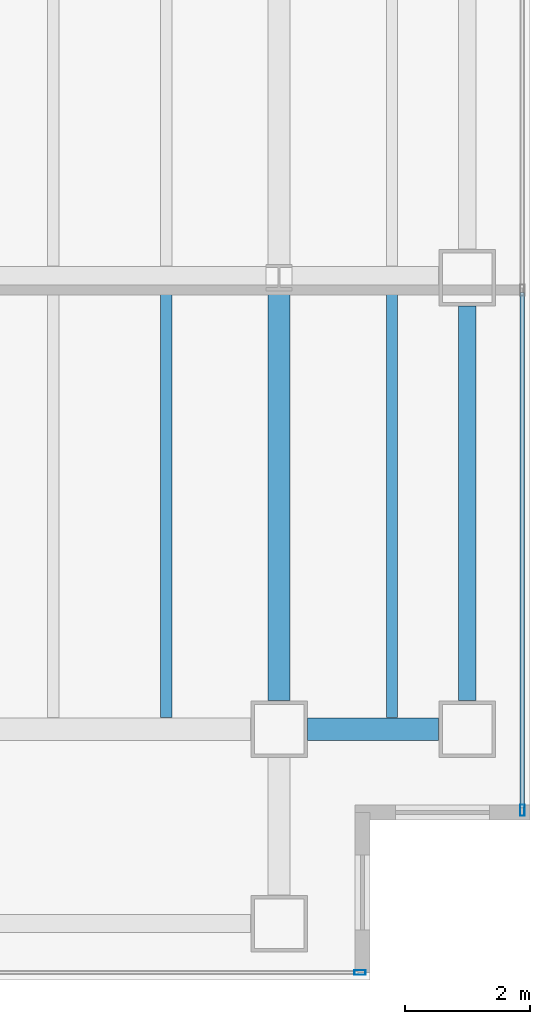
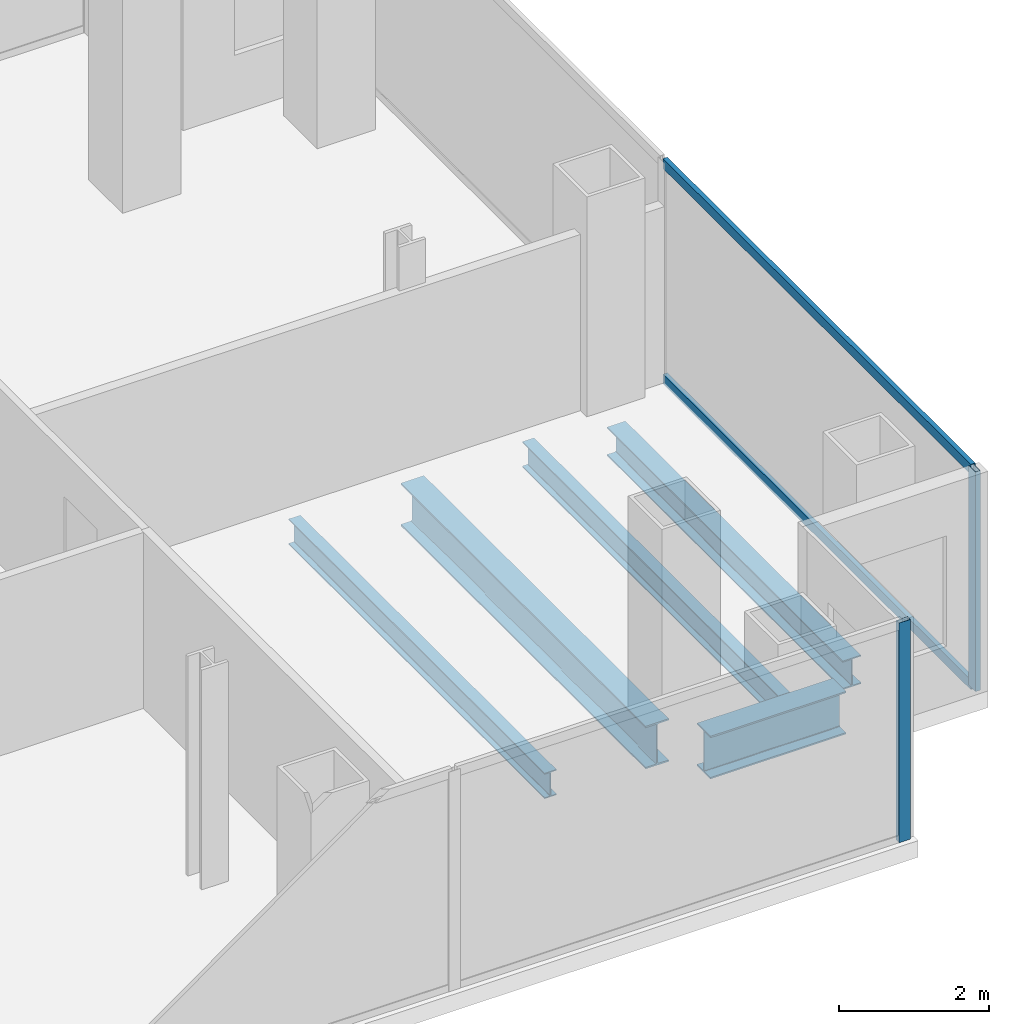
# One storey, part 11 of 24: 5 beams, 4 members, 2 elements without a shape of their own.
"""IFC4 building model written with IfcOpenShell, lengths in metres."""

from ifc_helpers import new_model, si_unit, direction, frame, origin, origin_2d, place, context, subcontext, project, spatial, hollow_rectangle, i_section, extrude, material, material_profile, profile_set, type_object, element, aggregate, save


model = new_model("IFC4")

# Units and contexts
model_context = context("Model", 3, precision=1e-05, world=origin(), true_north=direction((0.0, 1.0)))
body_context = subcontext(model_context, "Body", "Model", "MODEL_VIEW")
ifc_project = project(units=[si_unit("LENGTHUNIT", "METRE"), si_unit("AREAUNIT", "SQUARE_METRE"), si_unit("VOLUMEUNIT", "CUBIC_METRE"), si_unit("PLANEANGLEUNIT", "RADIAN"), si_unit("MASSUNIT", "GRAM", prefix="KILO")], contexts=[model_context])

# Site, building, storey
site_placement = place(None, origin())
site = spatial("IfcSite", under=ifc_project, at=site_placement, CompositionType="ELEMENT")
building_placement = place(site_placement, origin())
building = spatial("IfcBuilding", under=site, at=building_placement, Name="Cobrela Telecom Tower", CompositionType="ELEMENT")
storey_placement = place(building_placement, frame((0.0, 0.0, 136.85009765625)))
storey = spatial("IfcBuildingStorey", under=building, at=storey_placement, Name="L34", CompositionType="ELEMENT", Elevation=136.85009765625)

# Beams
ifc_material_1 = material(Name="Steel ASTM A992 Grade 50", Category="steel")
ifc_material_profile_1 = material_profile(ifc_material_1, i_section(OverallWidth=0.35595703125, OverallDepth=0.696044921875, WebThickness=0.015380859375, FlangeThickness=0.024658203125, FilletRadius=0.01806640625, at=origin_2d()), Name="W27X146")
ifc_profile_set_1 = profile_set([ifc_material_profile_1], Name="Steel ASTM A992 Grade 50")
beam_type_1 = type_object("IfcBeamType", Name="BM-GIRD-05", PredefinedType="USERDEFINED", material=ifc_profile_set_1)
beam_1_placement = place(storey_placement, frame((43.655029296875, 7.199951171875, -0.6181640625), z_axis=(1.0, 0.0, 0.0), x_axis=(0.0, 1.0, 0.0)))
element("IfcBeam", 1, at=beam_1_placement, inside=storey, type_object=beam_type_1, Name="L34 Primary Girder X12", ObjectType="GIRDER", PredefinedType="USERDEFINED", context=body_context, shape_type="SweptSolid", body=[
    extrude(i_section(OverallWidth=0.35595703125, OverallDepth=0.696044921875, WebThickness=0.015380859375, FlangeThickness=0.024658203125, FilletRadius=0.01806640625, at=origin_2d()), origin(), (0.0, 0.0, 1.0), 2.090087890625),
])
beam_2_placement = place(storey_placement, frame((43.199951171875, 7.655029296875, -0.6181640625), z_axis=(0.0, 1.0, 0.0), x_axis=(-1.0, 0.0, 0.0)))
element("IfcBeam", 2, at=beam_2_placement, inside=storey, type_object=beam_type_1, Name="L34 Primary Girder Y53", ObjectType="GIRDER", PredefinedType="USERDEFINED", context=body_context, shape_type="SweptSolid", body=[
    extrude(i_section(OverallWidth=0.35595703125, OverallDepth=0.696044921875, WebThickness=0.015380859375, FlangeThickness=0.024658203125, FilletRadius=0.01806640625, at=origin_2d()), origin(), (0.0, 0.0, 1.0), 6.535400390625),
])
ifc_material_profile_2 = material_profile(ifc_material_1, i_section(OverallWidth=0.179931640625, OverallDepth=0.4169921875, WebThickness=0.010986328125, FlangeThickness=0.01806640625, FilletRadius=0.011962890625, at=origin_2d()), Name="W16X57")
ifc_profile_set_2 = profile_set([ifc_material_profile_2], Name="Steel ASTM A992 Grade 50")
beam_type_2 = type_object("IfcBeamType", Name="BM-JOIST-04", PredefinedType="JOIST", material=ifc_profile_set_2)
for number, where, z_axis, x_axis, name in (
    (3, (41.39990234375, 7.383056640625, -0.478515625), (0.0, 1.0, 0.0), (-1.0, 0.0, 0.0), "L34 Secondary Composite Floor Beam J37"),
    (4, (45.0, 7.383056640625, -0.478515625), (0.0, 1.0, 0.0), (-1.0, 0.0, 0.0), "L34 Secondary Composite Floor Beam J39"),
):
    element("IfcBeam", number, at=place(storey_placement, frame(where, z_axis=z_axis, x_axis=x_axis)), inside=storey, type_object=beam_type_2, Name=name, PredefinedType="JOIST", context=body_context, shape_type="SweptSolid", body=[
        extrude(i_section(OverallWidth=0.179931640625, OverallDepth=0.4169921875, WebThickness=0.010986328125, FlangeThickness=0.01806640625, FilletRadius=0.011962890625, at=origin_2d()), origin(), (0.0, 0.0, 1.0), 6.833984375),
    ])
ifc_material_profile_3 = material_profile(ifc_material_1, i_section(OverallWidth=0.281982421875, OverallDepth=0.467041015625, WebThickness=0.01220703125, FlangeThickness=0.01953125, FilletRadius=0.012939453125, at=origin_2d()), Name="W18X86")
ifc_profile_set_3 = profile_set([ifc_material_profile_3], Name="Steel ASTM A992 Grade 50")
beam_type_3 = type_object("IfcBeamType", Name="BM-SPAND-04", PredefinedType="SPANDREL", material=ifc_profile_set_3)
beam_3_placement = place(storey_placement, frame((46.199951171875, 7.655029296875, -0.503662109375), z_axis=(0.0, 1.0, 0.0), x_axis=(-1.0, 0.0, 0.0)))
element("IfcBeam", 5, at=beam_3_placement, inside=storey, type_object=beam_type_3, Name="L34 Perimeter Spandrel Y55", PredefinedType="SPANDREL", context=body_context, shape_type="SweptSolid", body=[
    extrude(i_section(OverallWidth=0.281982421875, OverallDepth=0.467041015625, WebThickness=0.01220703125, FlangeThickness=0.01953125, FilletRadius=0.012939453125, at=origin_2d()), origin(), (0.0, 0.0, 1.0), 6.2900390625),
])

# Curtain wall, member
ifc_material_2 = material(Name="Anodized Bronze Aluminium 6063-T6", Category="aluminium")
curtain_wall_type = type_object("IfcCurtainWallType", Name="CW-SYS-TEL", PredefinedType="USERDEFINED", material=ifc_material_2)
curtain_wall_1_placement = place(storey_placement, origin())
curtain_wall_1 = element("IfcCurtainWall", 6, at=curtain_wall_1_placement, inside=storey, type_object=curtain_wall_type, Name="L34 Unitised Bronze Curtain Wall 14", ObjectType="UNITISED CURTAIN WALL", PredefinedType="USERDEFINED")
ifc_material_profile_4 = material_profile(ifc_material_2, hollow_rectangle(XDim=0.074951171875, YDim=0.179931640625, WallThickness=0.00390625, at=origin_2d()), Name="ALU 75x180x4")
ifc_profile_set_4 = profile_set([ifc_material_profile_4], Name="Anodized Bronze Aluminium 6063-T6")
member_type_1 = type_object("IfcMemberType", Name="CW-SYS-TEL-MUL", PredefinedType="MULLION", material=ifc_profile_set_4)
member_1_placement = place(storey_placement, frame((47.080078125, 5.907470703125, 0.0), z_axis=(0.0, 0.0, 1.0), x_axis=(1.0, 0.0, 0.0)))
member_1 = element("IfcMember", 7, at=member_1_placement, type_object=member_type_1, Name="CW-TEL mullion 3", PredefinedType="MULLION", context=body_context, shape_type="SweptSolid", body=[
    extrude(hollow_rectangle(XDim=0.074951171875, YDim=0.179931640625, WallThickness=0.00390625, at=origin_2d()), origin(), (0.0, 0.0, 1.0), 3.579833984375),
])

curtain_wall_2_placement = place(storey_placement, origin())
curtain_wall_2 = element("IfcCurtainWall", 8, at=curtain_wall_2_placement, inside=storey, type_object=curtain_wall_type, Name="L34 Unitised Bronze Curtain Wall 17", ObjectType="UNITISED CURTAIN WALL", PredefinedType="USERDEFINED")
member_2_placement = place(storey_placement, frame((44.492431640625, 3.320068359375, 0.0), z_axis=(0.0, 0.0, 1.0), x_axis=(0.0, -1.0, 0.0)))
member_2 = element("IfcMember", 9, at=member_2_placement, type_object=member_type_1, Name="CW-TEL mullion 1", PredefinedType="MULLION", context=body_context, shape_type="SweptSolid", body=[
    extrude(hollow_rectangle(XDim=0.074951171875, YDim=0.179931640625, WallThickness=0.00390625, at=origin_2d()), origin(), (0.0, 0.0, 1.0), 3.579833984375),
])
aggregate(curtain_wall_2, [member_2])

# Member
ifc_material_profile_5 = material_profile(ifc_material_2, hollow_rectangle(XDim=0.070068359375, YDim=0.159912109375, WallThickness=0.00390625, at=origin_2d()), Name="ALU 70x160x4")
ifc_profile_set_5 = profile_set([ifc_material_profile_5], Name="Anodized Bronze Aluminium 6063-T6")
member_type_2 = type_object("IfcMemberType", Name="CW-SYS-TEL-TRN", PredefinedType="USERDEFINED", material=ifc_profile_set_5)
member_3_placement = place(storey_placement, frame((47.080078125, 14.16259765625, 0.034912109375), z_axis=(0.0, -1.0, 0.0), x_axis=(1.0, 0.0, 0.0)))
member_3 = element("IfcMember", 10, at=member_3_placement, type_object=member_type_2, Name="CW-TEL transom 2.1", ObjectType="TRANSOM", PredefinedType="USERDEFINED", context=body_context, shape_type="SweptSolid", body=[
    extrude(hollow_rectangle(XDim=0.070068359375, YDim=0.159912109375, WallThickness=0.00390625, at=origin_2d()), origin(), (0.0, 0.0, 1.0), 8.217529296875),
])

member_4_placement = place(storey_placement, frame((47.080078125, 14.16259765625, 3.544921875), z_axis=(0.0, -1.0, 0.0), x_axis=(1.0, 0.0, 0.0)))
member_4 = element("IfcMember", 11, at=member_4_placement, type_object=member_type_2, Name="CW-TEL transom 2.2", ObjectType="TRANSOM", PredefinedType="USERDEFINED", context=body_context, shape_type="SweptSolid", body=[
    extrude(hollow_rectangle(XDim=0.070068359375, YDim=0.159912109375, WallThickness=0.00390625, at=origin_2d()), origin(), (0.0, 0.0, 1.0), 8.217529296875),
])

aggregate(curtain_wall_1, [member_1, member_3, member_4])

save(model, "model.ifc")
